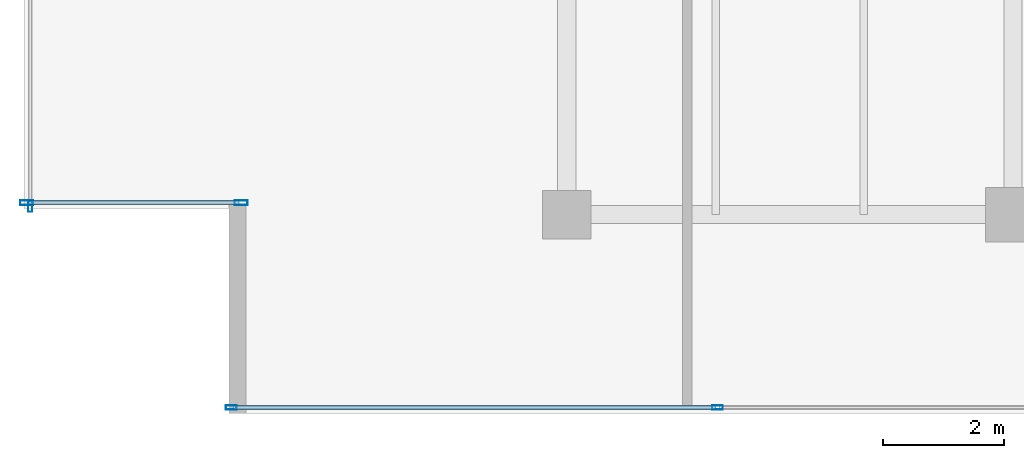
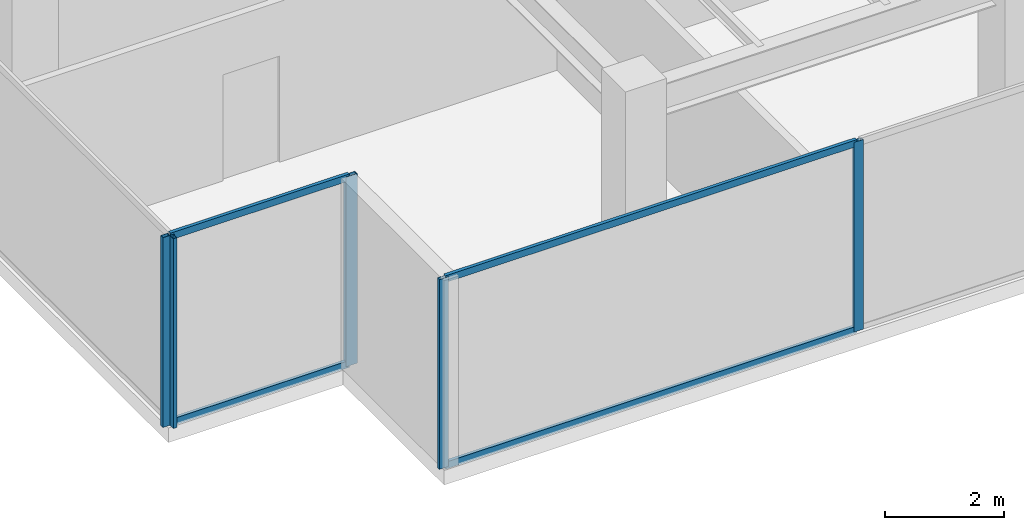
# One storey, part 5 of 31: 9 members, 3 elements without a shape of their own.
"""IFC4 building model written with IfcOpenShell, lengths in metres."""

import ifcopenshell
import ifcopenshell.guid

model = None  # the IFC model being written
_history = None  # IfcOwnerHistory: only IFC2X3 demands one
_inside = {}  # id of a spatial element -> (the spatial element, [elements in it])
_under = {}  # id of a project, library or spatial element -> (it, [spatial elements below it])
_declared = {}  # id of a project -> (the project, [libraries it declares])
_typed = {}  # id of a type object -> (the type object, [elements of that type])
_made_of = {}  # id of a material, layer set ... -> (it, [elements and type objects made of it])


def new_model(schema):
    """Start an empty IFC model of exactly this schema.

    Asked for "IFC4X3", IfcOpenShell would pick the latest addendum, in which some entities
    have other attributes; the version numbers below select the first issue.
    IFC2X3 requires an IfcOwnerHistory on every rooted entity: one is made here for all.
    """
    global model, _history
    if schema == "IFC4X3":
        model = ifcopenshell.file(schema_version=(4, 3, 0, 0))
    else:
        model = ifcopenshell.file(schema=schema)
    _inside.clear()
    _under.clear()
    _declared.clear()
    _typed.clear()
    _made_of.clear()
    _history = None
    if model.schema == "IFC2X3":
        org = make("IfcOrganization", Name="unknown")
        user = make(
            "IfcPersonAndOrganization",
            ThePerson=make("IfcPerson", FamilyName="unknown"),
            TheOrganization=org,
        )
        app = make(
            "IfcApplication",
            ApplicationDeveloper=org,
            Version="unknown",
            ApplicationFullName="unknown",
            ApplicationIdentifier="unknown",
        )
        _history = make(
            "IfcOwnerHistory",
            OwningUser=user,
            OwningApplication=app,
            ChangeAction="ADDED",
            CreationDate=0,
        )
    return model


def make(cls, **values):
    """One entity of the class cls with the attributes given. An attribute that is None is left unset."""
    return model.create_entity(
        cls, **{name: value for name, value in values.items() if value is not None}
    )


def rooted(cls, **values):
    """An entity with a GlobalId (a new one), such as an element, a storey or a relation."""
    return make(cls, GlobalId=ifcopenshell.guid.new(), OwnerHistory=_history, **values)


def si_unit(unit_type, name, prefix=None):
    """IfcSIUnit, for example si_unit("LENGTHUNIT", "METRE", prefix="MILLI")."""
    return make("IfcSIUnit", UnitType=unit_type, Prefix=prefix, Name=name)


def assignment(units):
    """IfcUnitAssignment: the units of a project."""
    return None if units is None else make("IfcUnitAssignment", Units=units)


def point(xyz):
    """IfcCartesianPoint."""
    return None if xyz is None else make("IfcCartesianPoint", Coordinates=xyz)


def direction(xyz):
    """IfcDirection."""
    return None if xyz is None else make("IfcDirection", DirectionRatios=xyz)


def frame(location, z_axis=None, x_axis=None):
    """IfcAxis2Placement3D, a coordinate frame: its origin and axes. An axis left out is left unset."""
    return make(
        "IfcAxis2Placement3D",
        Location=point(location),
        Axis=direction(z_axis),
        RefDirection=direction(x_axis),
    )


def frame_2d(location, x_axis=None):
    """IfcAxis2Placement2D, a coordinate frame in the plane: its origin and x axis."""
    return make(
        "IfcAxis2Placement2D", Location=point(location), RefDirection=direction(x_axis)
    )


def origin():
    """The frame at (0, 0, 0) with its axes left unset."""
    return frame((0.0, 0.0, 0.0))


def origin_2d():
    """The frame at (0, 0) in the plane with its x axis left unset."""
    return frame_2d((0.0, 0.0))


def place(relative_to, where):
    """IfcLocalPlacement: puts the frame where relative to a parent placement (None: the world)."""
    return make(
        "IfcLocalPlacement", PlacementRelTo=relative_to, RelativePlacement=where
    )


def context(
    kind, dimensions, precision=None, world=None, true_north=None, identifier=None
):
    """IfcGeometricRepresentationContext, for example the 3D "Model" context."""
    return make(
        "IfcGeometricRepresentationContext",
        ContextIdentifier=identifier,
        ContextType=kind,
        CoordinateSpaceDimension=dimensions,
        Precision=precision,
        WorldCoordinateSystem=world,
        TrueNorth=true_north,
    )


def subcontext(parent, identifier, kind, view, scale=None):
    """IfcGeometricRepresentationSubContext, for example "Body" below "Model"."""
    return make(
        "IfcGeometricRepresentationSubContext",
        ContextIdentifier=identifier,
        ContextType=kind,
        ParentContext=parent,
        TargetScale=scale,
        TargetView=view,
    )


def project(units=None, contexts=None):
    """IfcProject with its units and contexts."""
    return rooted(
        "IfcProject",
        Name="project",
        RepresentationContexts=contexts,
        UnitsInContext=assignment(units),
    )


def spatial(cls, under=None, at=None, **own):
    """A site, building, storey or space (cls), placed at a placement, below another one or the project."""
    s = rooted(cls, ObjectPlacement=at, **own)
    if under is not None:
        _under.setdefault(under.id(), (under, []))[1].append(s)
    return s


def profile(cls, at=None, kind="AREA", **sizes):
    """A parametric profile (cls). Its sizes go by their IFC names, for example OverallWidth=200.0."""
    return make(cls, ProfileType=kind, Position=at, **sizes)


def hollow_rectangle(**sizes):
    """IfcRectangleHollowProfileDef."""
    return profile("IfcRectangleHollowProfileDef", **sizes)


def extrude(swept, where, along, depth):
    """IfcExtrudedAreaSolid: the profile swept, set in the frame where, extruded along a direction by depth."""
    return make(
        "IfcExtrudedAreaSolid",
        SweptArea=swept,
        Position=where,
        ExtrudedDirection=direction(along),
        Depth=depth,
    )


def shape(context_of_items, identifier, shape_type, items):
    """IfcShapeRepresentation: the items that make up one representation, for example the "Body"."""
    return make(
        "IfcShapeRepresentation",
        ContextOfItems=context_of_items,
        RepresentationIdentifier=identifier,
        RepresentationType=shape_type,
        Items=items,
    )


def source(mapping_origin, context_of_items, identifier, shape_type, items):
    """IfcRepresentationMap: a shape defined once, which mapped items show again and again."""
    return make(
        "IfcRepresentationMap",
        MappingOrigin=mapping_origin,
        MappedRepresentation=shape(context_of_items, identifier, shape_type, items),
    )


def transform(
    local_origin,
    x_axis=None,
    y_axis=None,
    z_axis=None,
    scale=None,
    scale2=None,
    scale3=None,
    uniform=True,
):
    """IfcCartesianTransformationOperator3D, or its non-uniform kind. x_axis, y_axis, z_axis: its Axis1, 2, 3."""
    if uniform:
        return make(
            "IfcCartesianTransformationOperator3D",
            Axis1=direction(x_axis),
            Axis2=direction(y_axis),
            LocalOrigin=point(local_origin),
            Scale=scale,
            Axis3=direction(z_axis),
        )
    return make(
        "IfcCartesianTransformationOperator3DnonUniform",
        Axis1=direction(x_axis),
        Axis2=direction(y_axis),
        LocalOrigin=point(local_origin),
        Scale=scale,
        Axis3=direction(z_axis),
        Scale2=scale2,
        Scale3=scale3,
    )


def mapped(mapping_source, mapping_target):
    """IfcMappedItem: shows the shape of a source again, moved by a transform."""
    return make(
        "IfcMappedItem", MappingSource=mapping_source, MappingTarget=mapping_target
    )


def material(Name=None, Category=None):
    """IfcMaterial."""
    return make("IfcMaterial", Name=Name, Category=Category)


def layer(
    of_material, thickness, ventilated=None, Name=None, Category=None, Priority=None
):
    """IfcMaterialLayer: one layer of a wall or slab, of a material (None: an air gap)."""
    return make(
        "IfcMaterialLayer",
        Material=of_material,
        LayerThickness=thickness,
        IsVentilated=ventilated,
        Name=Name,
        Category=Category,
        Priority=Priority,
    )


def layer_set(layers, Name=None):
    """IfcMaterialLayerSet."""
    return make("IfcMaterialLayerSet", MaterialLayers=layers, LayerSetName=Name)


def material_profile(
    of_material, cross_section, Name=None, Category=None, Priority=None
):
    """IfcMaterialProfile: a cross section and its material."""
    return make(
        "IfcMaterialProfile",
        Name=Name,
        Material=of_material,
        Profile=cross_section,
        Priority=Priority,
        Category=Category,
    )


def profile_set(profiles, Name=None, composite=None):
    """IfcMaterialProfileSet."""
    return make(
        "IfcMaterialProfileSet",
        Name=Name,
        MaterialProfiles=profiles,
        CompositeProfile=composite,
    )


def made_of(thing, what):
    """Note that an element or type object is made of a material, layer set ...; save() writes the relation."""
    if what is not None:
        _made_of.setdefault(what.id(), (what, []))[1].append(thing)
    return thing


def type_object(cls, material=None, **own):
    """A type object (cls), such as IfcWallType, which elements share."""
    return made_of(rooted(cls, **own), material)


def type_shapes(of_type, sources):
    """Give a type object the sources (RepresentationMaps) that its elements show as mapped items."""
    of_type.RepresentationMaps = sources


def element(
    cls,
    number,
    at=None,
    inside=None,
    cuts=None,
    type_object=None,
    material=None,
    context=None,
    identifier="Body",
    shape_type=None,
    held_by="IfcProductDefinitionShape",
    body=None,
    shapes=None,
    **own,
):
    """One element of the class cls, such as IfcWall. Its Tag is "e" and its number.

    at: its placement. inside: the storey or other place that contains it. cuts: it is an
    opening in that element (IfcRelVoidsElement). A single representation is given by context,
    identifier, shape_type and body (its items); several are given by shapes. held_by: the class
    of the entity that holds the representations. save() writes the other relations.
    """
    e = rooted(cls, Tag="e%d" % number, ObjectPlacement=at, **own)
    if body is not None:
        shapes = [shape(context, identifier, shape_type, body)]
    if shapes is not None:
        e.Representation = make(held_by, Representations=shapes)
    if inside is not None:
        _inside.setdefault(inside.id(), (inside, []))[1].append(e)
    if cuts is not None:
        rooted(
            "IfcRelVoidsElement", RelatingBuildingElement=cuts, RelatedOpeningElement=e
        )
    if type_object is not None:
        _typed.setdefault(type_object.id(), (type_object, []))[1].append(e)
    return made_of(e, material)


def aggregate(whole, parts):
    """IfcRelAggregates: a whole, such as a stair, and the parts it consists of."""
    return rooted("IfcRelAggregates", RelatingObject=whole, RelatedObjects=parts)


def save(model, path):
    """Write the relations noted so far, then the file.

    IfcRelAggregates (storeys below a building ...), IfcRelContainedInSpatialStructure (elements
    in a storey), IfcRelDefinesByType, IfcRelAssociatesMaterial and IfcRelDeclares: one each for
    every whole, place, type object, material and project.
    """
    for whole, parts in _under.values():
        aggregate(whole, parts)
    for where, things in _inside.values():
        rooted(
            "IfcRelContainedInSpatialStructure",
            RelatedElements=things,
            RelatingStructure=where,
        )
    for kind, things in _typed.values():
        rooted("IfcRelDefinesByType", RelatedObjects=things, RelatingType=kind)
    for what, things in _made_of.values():
        rooted("IfcRelAssociatesMaterial", RelatedObjects=things, RelatingMaterial=what)
    for by, libraries in _declared.values():
        rooted("IfcRelDeclares", RelatingContext=by, RelatedDefinitions=libraries)
    model.write(path)


model = new_model("IFC4")

# Units and contexts
model_context = context("Model", 3, precision=1e-05, world=origin(), true_north=direction((0.0, 1.0)))
body_context = subcontext(model_context, "Body", "Model", "MODEL_VIEW")
ifc_project = project(units=[si_unit("LENGTHUNIT", "METRE"), si_unit("AREAUNIT", "SQUARE_METRE"), si_unit("VOLUMEUNIT", "CUBIC_METRE"), si_unit("PLANEANGLEUNIT", "RADIAN"), si_unit("MASSUNIT", "GRAM", prefix="KILO")], contexts=[model_context])

# Site, building, storey
site_placement = place(None, origin())
site = spatial("IfcSite", under=ifc_project, at=site_placement, CompositionType="ELEMENT")
building_placement = place(site_placement, origin())
building = spatial("IfcBuilding", under=site, at=building_placement, Name="Haelvirn Gate Laboratories", CompositionType="ELEMENT")
storey_placement = place(building_placement, frame((0.0, 0.0, 318.60009765625)))
storey = spatial("IfcBuildingStorey", under=building, at=storey_placement, Name="L76", CompositionType="ELEMENT", Elevation=318.60009765625)

# Curtain wall, members
ifc_material_1 = material(Name="Anodised bronze unitised aluminium & triple low-E glass", Category="aluminium")
ifc_layer_1 = layer(ifc_material_1, 0.176025390625, Name="CW-SYS-4")
ifc_layer_set_1 = layer_set([ifc_layer_1], Name="Anodised bronze unitised aluminium & triple low-E glass")
curtain_wall_type_1 = type_object("IfcCurtainWallType", Name="CW-SYS-4", PredefinedType="NOTDEFINED", material=ifc_layer_set_1)
curtain_wall_1_placement = place(storey_placement, origin())
curtain_wall_1 = element("IfcCurtainWall", 1, at=curtain_wall_1_placement, inside=storey, type_object=curtain_wall_type_1, Name="L76 Unitised Curtain Wall CW-L76-P0-E00-1", PredefinedType="NOTDEFINED")
ifc_material_2 = material(Name="Extruded aluminium 6063-T6 (anodised bronze)", Category="aluminium")
ifc_material_profile_1 = material_profile(ifc_material_2, hollow_rectangle(XDim=0.070068359375, YDim=0.179931640625, WallThickness=0.0048828125, at=origin_2d()), Name="CWM-180x70x5")
ifc_profile_set_1 = profile_set([ifc_material_profile_1], Name="Extruded aluminium 6063-T6 (anodised bronze)")
member_type_1 = type_object("IfcMemberType", Name="CWM-T180", PredefinedType="MULLION", material=ifc_profile_set_1)
shared_shape_1 = source(origin(), body_context, "Body", "SweptSolid", [
    extrude(hollow_rectangle(XDim=0.070068359375, YDim=0.179931640625, WallThickness=0.0048828125, at=origin_2d()), origin(), (0.0, 0.0, 1.0), 3.89990234375),
])
type_shapes(member_type_1, [shared_shape_1])
member_1_placement = place(storey_placement, frame((9.235107421875, 3.800048828125, 0.0), z_axis=(0.0, 0.0, 1.0), x_axis=(0.0, 1.0, 0.0)))
member_1 = element("IfcMember", 2, at=member_1_placement, type_object=member_type_1, Name="CW4 mullion 1", PredefinedType="MULLION", context=body_context, shape_type="MappedRepresentation", body=[
    mapped(shared_shape_1, transform((0.0, 0.0, 0.0), scale=1.0)),
])
member_2_placement = place(storey_placement, frame((17.300048828125, 3.800048828125, 0.0), z_axis=(0.0, 0.0, 1.0), x_axis=(0.0, 1.0, 0.0)))
member_2 = element("IfcMember", 3, at=member_2_placement, type_object=member_type_1, Name="CW4 mullion 2", PredefinedType="MULLION", context=body_context, shape_type="MappedRepresentation", body=[
    mapped(shared_shape_1, transform((0.0, 0.0, 0.0), scale=1.0)),
])

# Curtain wall, member
curtain_wall_2_placement = place(storey_placement, origin())
curtain_wall_2 = element("IfcCurtainWall", 4, at=curtain_wall_2_placement, inside=storey, type_object=curtain_wall_type_1, Name="L76 Unitised Curtain Wall CW-L76-P0-E17", PredefinedType="NOTDEFINED")
member_3_placement = place(storey_placement, frame((5.89990234375, 7.135009765625, 0.0), z_axis=(0.0, 0.0, 1.0), x_axis=(1.0, 0.0, 0.0)))
member_3 = element("IfcMember", 5, at=member_3_placement, type_object=member_type_1, Name="CW4 mullion 3", PredefinedType="MULLION", context=body_context, shape_type="MappedRepresentation", body=[
    mapped(shared_shape_1, transform((0.0, 0.0, 0.0), scale=1.0)),
])
aggregate(curtain_wall_2, [member_3])

# Curtain wall, members
ifc_layer_2 = layer(ifc_material_1, 0.181884765625, Name="CW-SYS-5")
ifc_layer_set_2 = layer_set([ifc_layer_2], Name="Anodised bronze unitised aluminium & triple low-E glass")
curtain_wall_type_2 = type_object("IfcCurtainWallType", Name="CW-SYS-5", PredefinedType="NOTDEFINED", material=ifc_layer_set_2)
curtain_wall_3_placement = place(storey_placement, origin())
curtain_wall_3 = element("IfcCurtainWall", 6, at=curtain_wall_3_placement, inside=storey, type_object=curtain_wall_type_2, Name="L76 Unitised Curtain Wall CW-L76-P0-E18-1", PredefinedType="NOTDEFINED")
ifc_material_profile_2 = material_profile(ifc_material_2, hollow_rectangle(XDim=0.080078125, YDim=0.219970703125, WallThickness=0.006103515625, at=origin_2d()), Name="CWM-220x80x6")
ifc_profile_set_2 = profile_set([ifc_material_profile_2], Name="Extruded aluminium 6063-T6 (anodised bronze)")
member_type_2 = type_object("IfcMemberType", Name="CWM-T220", PredefinedType="MULLION", material=ifc_profile_set_2)
shared_shape_2 = source(origin(), body_context, "Body", "SweptSolid", [
    extrude(hollow_rectangle(XDim=0.080078125, YDim=0.219970703125, WallThickness=0.006103515625, at=origin_2d()), origin(), (0.0, 0.0, 1.0), 3.89990234375),
])
type_shapes(member_type_2, [shared_shape_2])
member_4_placement = place(storey_placement, frame((5.840087890625, 7.199951171875, 0.0), z_axis=(0.0, 0.0, 1.0), x_axis=(0.0, 1.0, 0.0)))
member_4 = element("IfcMember", 7, at=member_4_placement, type_object=member_type_2, Name="CW5 mullion 1", PredefinedType="MULLION", context=body_context, shape_type="MappedRepresentation", body=[
    mapped(shared_shape_2, transform((0.0, 0.0, 0.0), scale=1.0)),
])
member_5_placement = place(storey_placement, frame((9.39990234375, 7.199951171875, 0.0), z_axis=(0.0, 0.0, 1.0), x_axis=(0.0, 1.0, 0.0)))
member_5 = element("IfcMember", 8, at=member_5_placement, type_object=member_type_2, Name="CW5 mullion 2", PredefinedType="MULLION", context=body_context, shape_type="MappedRepresentation", body=[
    mapped(shared_shape_2, transform((0.0, 0.0, 0.0), scale=1.0)),
])
ifc_material_profile_3 = material_profile(ifc_material_2, hollow_rectangle(XDim=0.06494140625, YDim=0.139892578125, WallThickness=0.00390625, at=origin_2d()), Name="CWT-140x65x4")
ifc_profile_set_3 = profile_set([ifc_material_profile_3], Name="Extruded aluminium 6063-T6 (anodised bronze)")
member_type_3 = type_object("IfcMemberType", Name="CWT-T140", PredefinedType="USERDEFINED", material=ifc_profile_set_3)
shared_shape_3 = source(origin(), body_context, "Body", "SweptSolid", [
    extrude(hollow_rectangle(XDim=0.06494140625, YDim=0.139892578125, WallThickness=0.00390625, at=origin_2d()), origin(), (0.0, 0.0, 1.0), 3.480224609375),
])
member_6_placement = place(storey_placement, frame((5.8798828125, 7.199951171875, 0.032470703125), z_axis=(1.0, 0.0, 0.0), x_axis=(0.0, 1.0, 0.0)))
member_6 = element("IfcMember", 9, at=member_6_placement, type_object=member_type_3, Name="CW5 transom 1.1", ObjectType="TRANSOM", PredefinedType="USERDEFINED", context=body_context, shape_type="MappedRepresentation", body=[
    mapped(shared_shape_3, transform((0.0, 0.0, 0.0), scale=1.0)),
])
member_7_placement = place(storey_placement, frame((5.8798828125, 7.199951171875, 3.867431640625), z_axis=(1.0, 0.0, 0.0), x_axis=(0.0, 1.0, 0.0)))
member_7 = element("IfcMember", 10, at=member_7_placement, type_object=member_type_3, Name="CW5 transom 1.2", ObjectType="TRANSOM", PredefinedType="USERDEFINED", context=body_context, shape_type="MappedRepresentation", body=[
    mapped(shared_shape_3, transform((0.0, 0.0, 0.0), scale=1.0)),
])
aggregate(curtain_wall_3, [member_4, member_5, member_6, member_7])

# Member
shared_shape_4 = source(origin(), body_context, "Body", "SweptSolid", [
    extrude(hollow_rectangle(XDim=0.06494140625, YDim=0.139892578125, WallThickness=0.00390625, at=origin_2d()), origin(), (0.0, 0.0, 1.0), 7.994873046875),
])
type_shapes(member_type_3, [shared_shape_3, shared_shape_4])
member_8_placement = place(storey_placement, frame((9.27001953125, 3.800048828125, 0.032470703125), z_axis=(1.0, 0.0, 0.0), x_axis=(0.0, 1.0, 0.0)))
member_8 = element("IfcMember", 11, at=member_8_placement, type_object=member_type_3, Name="CW4 transom 1.1", ObjectType="TRANSOM", PredefinedType="USERDEFINED", context=body_context, shape_type="MappedRepresentation", body=[
    mapped(shared_shape_4, transform((0.0, 0.0, 0.0), scale=1.0)),
])

member_9_placement = place(storey_placement, frame((9.27001953125, 3.800048828125, 3.867431640625), z_axis=(1.0, 0.0, 0.0), x_axis=(0.0, 1.0, 0.0)))
member_9 = element("IfcMember", 12, at=member_9_placement, type_object=member_type_3, Name="CW4 transom 1.2", ObjectType="TRANSOM", PredefinedType="USERDEFINED", context=body_context, shape_type="MappedRepresentation", body=[
    mapped(shared_shape_4, transform((0.0, 0.0, 0.0), scale=1.0)),
])

aggregate(curtain_wall_1, [member_1, member_2, member_8, member_9])

save(model, "model.ifc")
